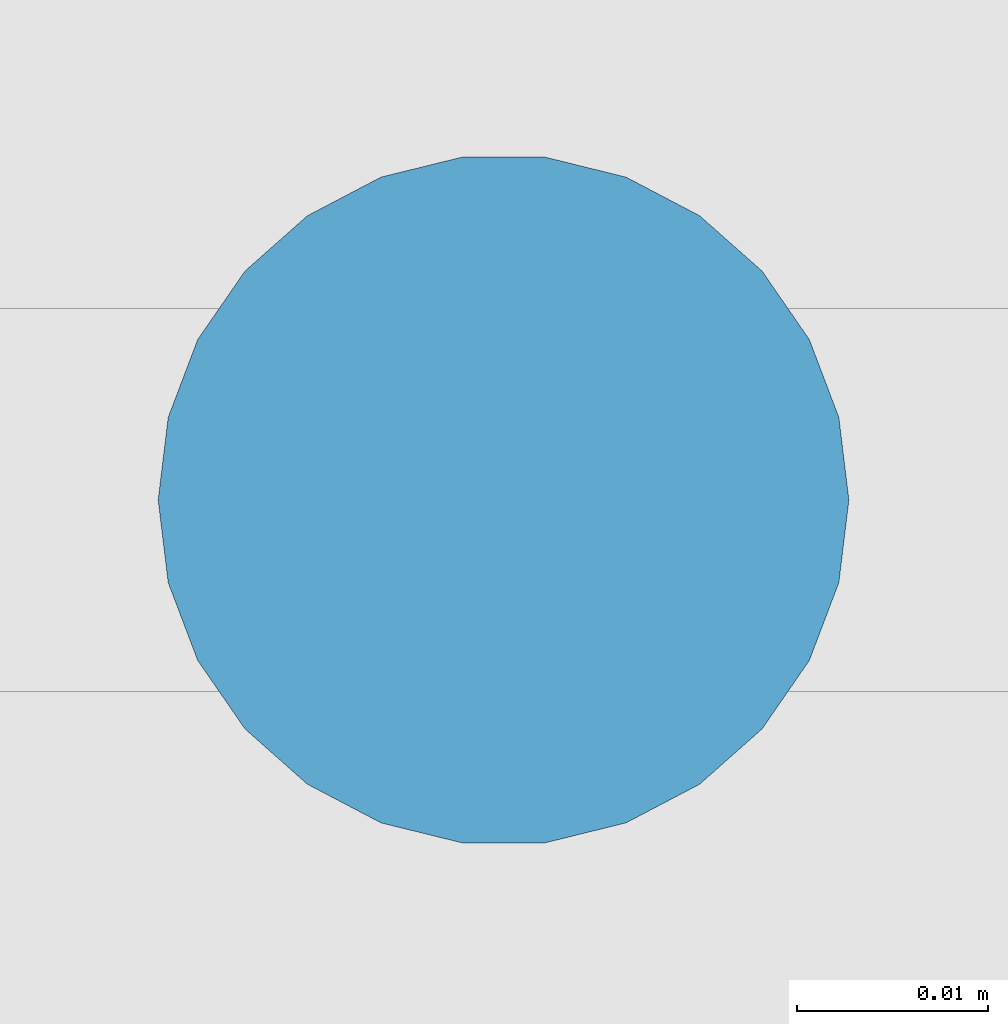
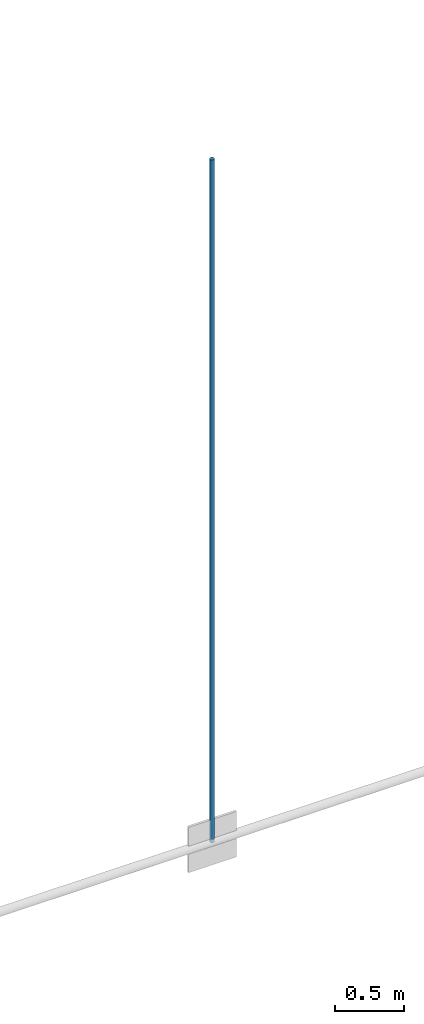
# One storey, part 82 of 321: 1 member.
"""IFC4 building model written with IfcOpenShell, lengths in metres."""

import ifcopenshell
import ifcopenshell.guid

model = None  # the IFC model being written
_history = None  # IfcOwnerHistory: only IFC2X3 demands one
_inside = {}  # id of a spatial element -> (the spatial element, [elements in it])
_under = {}  # id of a project, library or spatial element -> (it, [spatial elements below it])
_declared = {}  # id of a project -> (the project, [libraries it declares])
_typed = {}  # id of a type object -> (the type object, [elements of that type])
_made_of = {}  # id of a material, layer set ... -> (it, [elements and type objects made of it])


def new_model(schema):
    """Start an empty IFC model of exactly this schema.

    Asked for "IFC4X3", IfcOpenShell would pick the latest addendum, in which some entities
    have other attributes; the version numbers below select the first issue.
    IFC2X3 requires an IfcOwnerHistory on every rooted entity: one is made here for all.
    """
    global model, _history
    if schema == "IFC4X3":
        model = ifcopenshell.file(schema_version=(4, 3, 0, 0))
    else:
        model = ifcopenshell.file(schema=schema)
    _inside.clear()
    _under.clear()
    _declared.clear()
    _typed.clear()
    _made_of.clear()
    _history = None
    if model.schema == "IFC2X3":
        org = make("IfcOrganization", Name="unknown")
        user = make(
            "IfcPersonAndOrganization",
            ThePerson=make("IfcPerson", FamilyName="unknown"),
            TheOrganization=org,
        )
        app = make(
            "IfcApplication",
            ApplicationDeveloper=org,
            Version="unknown",
            ApplicationFullName="unknown",
            ApplicationIdentifier="unknown",
        )
        _history = make(
            "IfcOwnerHistory",
            OwningUser=user,
            OwningApplication=app,
            ChangeAction="ADDED",
            CreationDate=0,
        )
    return model


def make(cls, **values):
    """One entity of the class cls with the attributes given. An attribute that is None is left unset."""
    return model.create_entity(
        cls, **{name: value for name, value in values.items() if value is not None}
    )


def rooted(cls, **values):
    """An entity with a GlobalId (a new one), such as an element, a storey or a relation."""
    return make(cls, GlobalId=ifcopenshell.guid.new(), OwnerHistory=_history, **values)


def si_unit(unit_type, name, prefix=None):
    """IfcSIUnit, for example si_unit("LENGTHUNIT", "METRE", prefix="MILLI")."""
    return make("IfcSIUnit", UnitType=unit_type, Prefix=prefix, Name=name)


def assignment(units):
    """IfcUnitAssignment: the units of a project."""
    return None if units is None else make("IfcUnitAssignment", Units=units)


def point(xyz):
    """IfcCartesianPoint."""
    return None if xyz is None else make("IfcCartesianPoint", Coordinates=xyz)


def direction(xyz):
    """IfcDirection."""
    return None if xyz is None else make("IfcDirection", DirectionRatios=xyz)


def frame(location, z_axis=None, x_axis=None):
    """IfcAxis2Placement3D, a coordinate frame: its origin and axes. An axis left out is left unset."""
    return make(
        "IfcAxis2Placement3D",
        Location=point(location),
        Axis=direction(z_axis),
        RefDirection=direction(x_axis),
    )


def frame_2d(location, x_axis=None):
    """IfcAxis2Placement2D, a coordinate frame in the plane: its origin and x axis."""
    return make(
        "IfcAxis2Placement2D", Location=point(location), RefDirection=direction(x_axis)
    )


def origin():
    """The frame at (0, 0, 0) with its axes left unset."""
    return frame((0.0, 0.0, 0.0))


def origin_2d():
    """The frame at (0, 0) in the plane with its x axis left unset."""
    return frame_2d((0.0, 0.0))


def place(relative_to, where):
    """IfcLocalPlacement: puts the frame where relative to a parent placement (None: the world)."""
    return make(
        "IfcLocalPlacement", PlacementRelTo=relative_to, RelativePlacement=where
    )


def context(
    kind, dimensions, precision=None, world=None, true_north=None, identifier=None
):
    """IfcGeometricRepresentationContext, for example the 3D "Model" context."""
    return make(
        "IfcGeometricRepresentationContext",
        ContextIdentifier=identifier,
        ContextType=kind,
        CoordinateSpaceDimension=dimensions,
        Precision=precision,
        WorldCoordinateSystem=world,
        TrueNorth=true_north,
    )


def subcontext(parent, identifier, kind, view, scale=None):
    """IfcGeometricRepresentationSubContext, for example "Body" below "Model"."""
    return make(
        "IfcGeometricRepresentationSubContext",
        ContextIdentifier=identifier,
        ContextType=kind,
        ParentContext=parent,
        TargetScale=scale,
        TargetView=view,
    )


def project(units=None, contexts=None):
    """IfcProject with its units and contexts."""
    return rooted(
        "IfcProject",
        Name="project",
        RepresentationContexts=contexts,
        UnitsInContext=assignment(units),
    )


def spatial(cls, under=None, at=None, **own):
    """A site, building, storey or space (cls), placed at a placement, below another one or the project."""
    s = rooted(cls, ObjectPlacement=at, **own)
    if under is not None:
        _under.setdefault(under.id(), (under, []))[1].append(s)
    return s


def profile(cls, at=None, kind="AREA", **sizes):
    """A parametric profile (cls). Its sizes go by their IFC names, for example OverallWidth=200.0."""
    return make(cls, ProfileType=kind, Position=at, **sizes)


def circle(**sizes):
    """IfcCircleProfileDef."""
    return profile("IfcCircleProfileDef", **sizes)


def extrude(swept, where, along, depth):
    """IfcExtrudedAreaSolid: the profile swept, set in the frame where, extruded along a direction by depth."""
    return make(
        "IfcExtrudedAreaSolid",
        SweptArea=swept,
        Position=where,
        ExtrudedDirection=direction(along),
        Depth=depth,
    )


def shape(context_of_items, identifier, shape_type, items):
    """IfcShapeRepresentation: the items that make up one representation, for example the "Body"."""
    return make(
        "IfcShapeRepresentation",
        ContextOfItems=context_of_items,
        RepresentationIdentifier=identifier,
        RepresentationType=shape_type,
        Items=items,
    )


def material(Name=None, Category=None):
    """IfcMaterial."""
    return make("IfcMaterial", Name=Name, Category=Category)


def material_profile(
    of_material, cross_section, Name=None, Category=None, Priority=None
):
    """IfcMaterialProfile: a cross section and its material."""
    return make(
        "IfcMaterialProfile",
        Name=Name,
        Material=of_material,
        Profile=cross_section,
        Priority=Priority,
        Category=Category,
    )


def profile_set(profiles, Name=None, composite=None):
    """IfcMaterialProfileSet."""
    return make(
        "IfcMaterialProfileSet",
        Name=Name,
        MaterialProfiles=profiles,
        CompositeProfile=composite,
    )


def made_of(thing, what):
    """Note that an element or type object is made of a material, layer set ...; save() writes the relation."""
    if what is not None:
        _made_of.setdefault(what.id(), (what, []))[1].append(thing)
    return thing


def type_object(cls, material=None, **own):
    """A type object (cls), such as IfcWallType, which elements share."""
    return made_of(rooted(cls, **own), material)


def element(
    cls,
    number,
    at=None,
    inside=None,
    cuts=None,
    type_object=None,
    material=None,
    context=None,
    identifier="Body",
    shape_type=None,
    held_by="IfcProductDefinitionShape",
    body=None,
    shapes=None,
    **own,
):
    """One element of the class cls, such as IfcWall. Its Tag is "e" and its number.

    at: its placement. inside: the storey or other place that contains it. cuts: it is an
    opening in that element (IfcRelVoidsElement). A single representation is given by context,
    identifier, shape_type and body (its items); several are given by shapes. held_by: the class
    of the entity that holds the representations. save() writes the other relations.
    """
    e = rooted(cls, Tag="e%d" % number, ObjectPlacement=at, **own)
    if body is not None:
        shapes = [shape(context, identifier, shape_type, body)]
    if shapes is not None:
        e.Representation = make(held_by, Representations=shapes)
    if inside is not None:
        _inside.setdefault(inside.id(), (inside, []))[1].append(e)
    if cuts is not None:
        rooted(
            "IfcRelVoidsElement", RelatingBuildingElement=cuts, RelatedOpeningElement=e
        )
    if type_object is not None:
        _typed.setdefault(type_object.id(), (type_object, []))[1].append(e)
    return made_of(e, material)


def aggregate(whole, parts):
    """IfcRelAggregates: a whole, such as a stair, and the parts it consists of."""
    return rooted("IfcRelAggregates", RelatingObject=whole, RelatedObjects=parts)


def save(model, path):
    """Write the relations noted so far, then the file.

    IfcRelAggregates (storeys below a building ...), IfcRelContainedInSpatialStructure (elements
    in a storey), IfcRelDefinesByType, IfcRelAssociatesMaterial and IfcRelDeclares: one each for
    every whole, place, type object, material and project.
    """
    for whole, parts in _under.values():
        aggregate(whole, parts)
    for where, things in _inside.values():
        rooted(
            "IfcRelContainedInSpatialStructure",
            RelatedElements=things,
            RelatingStructure=where,
        )
    for kind, things in _typed.values():
        rooted("IfcRelDefinesByType", RelatedObjects=things, RelatingType=kind)
    for what, things in _made_of.values():
        rooted("IfcRelAssociatesMaterial", RelatedObjects=things, RelatingMaterial=what)
    for by, libraries in _declared.values():
        rooted("IfcRelDeclares", RelatingContext=by, RelatedDefinitions=libraries)
    model.write(path)


model = new_model("IFC4")

# Units and contexts
model_context = context("Model", 3, precision=1e-05, world=origin(), true_north=direction((0.0, 1.0)))
body_context = subcontext(model_context, "Body", "Model", "MODEL_VIEW")
ifc_project = project(units=[si_unit("LENGTHUNIT", "METRE"), si_unit("AREAUNIT", "SQUARE_METRE"), si_unit("VOLUMEUNIT", "CUBIC_METRE"), si_unit("PLANEANGLEUNIT", "RADIAN"), si_unit("MASSUNIT", "GRAM", prefix="KILO")], contexts=[model_context])

# Site, building, storey
site_placement = place(None, origin())
site = spatial("IfcSite", under=ifc_project, at=site_placement, CompositionType="ELEMENT")
building_placement = place(site_placement, origin())
building = spatial("IfcBuilding", under=site, at=building_placement, Name="Ravi Spectrum Wholesale Market", CompositionType="ELEMENT")
storey_placement = place(building_placement, frame((0.0, 0.0, 10.800048828125)))
storey = spatial("IfcBuildingStorey", under=building, at=storey_placement, Name="L02", CompositionType="ELEMENT", Elevation=10.800048828125)

# Member
ifc_material = material(Name="Steel S355", Category="steel")
ifc_material_profile = material_profile(ifc_material, circle(Radius=0.01806640625, at=origin_2d()))
ifc_profile_set = profile_set([ifc_material_profile], Name="Steel S355")
member_type = type_object("IfcMemberType", Name="ROD 36 hanger", PredefinedType="STRUT", material=ifc_profile_set)
member_placement = place(storey_placement, frame((70.0, 114.0, 0.023193359375), z_axis=(0.0, 0.0, 1.0), x_axis=(1.0, 0.0, 0.0)))
element("IfcMember", 1, at=member_placement, inside=storey, type_object=member_type, Name="H1-MB-L02-646", PredefinedType="STRUT", context=body_context, shape_type="SweptSolid", body=[
    extrude(circle(Radius=0.01806640625, at=origin_2d()), origin(), (0.0, 0.0, 1.0), 6.002197265625),
])

save(model, "model.ifc")
